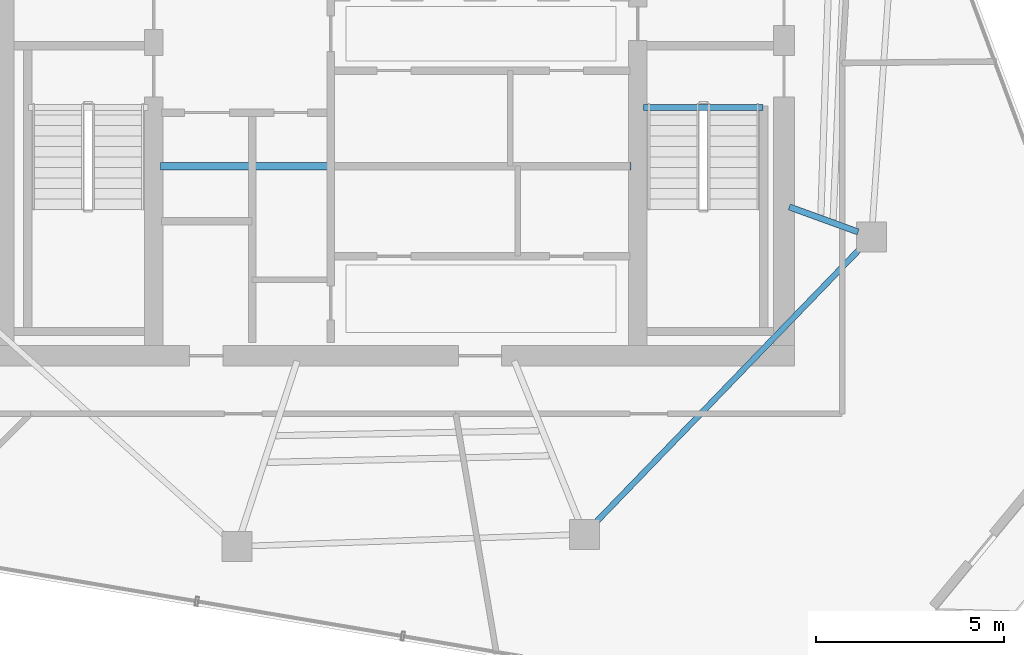
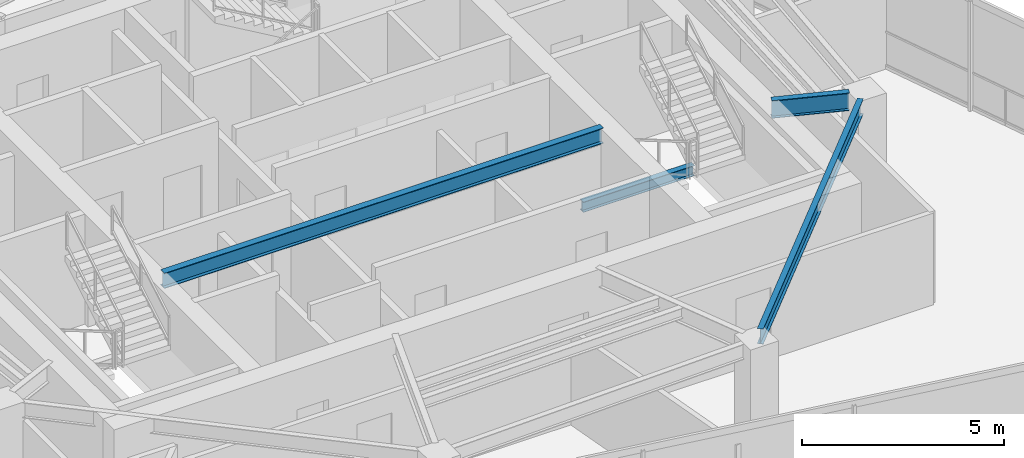
# One storey, part 5 of 19: 4 beams.
"""IFC4 building model written with IfcOpenShell, lengths in metres."""

from ifc_helpers import new_model, si_unit, direction, frame, origin, origin_2d, place, context, subcontext, project, spatial, i_section, extrude, material, material_profile, profile_set, type_object, element, save


model = new_model("IFC4")

# Units and contexts
model_context = context("Model", 3, precision=1e-05, world=origin(), true_north=direction((0.0, 1.0)))
body_context = subcontext(model_context, "Body", "Model", "MODEL_VIEW")
ifc_project = project(units=[si_unit("LENGTHUNIT", "METRE"), si_unit("AREAUNIT", "SQUARE_METRE"), si_unit("VOLUMEUNIT", "CUBIC_METRE"), si_unit("PLANEANGLEUNIT", "RADIAN"), si_unit("MASSUNIT", "GRAM", prefix="KILO")], contexts=[model_context])

# Site, building, storey
site_placement = place(None, origin())
site = spatial("IfcSite", under=ifc_project, at=site_placement, CompositionType="ELEMENT")
building_placement = place(site_placement, origin())
building = spatial("IfcBuilding", under=site, at=building_placement, Name="Qarnah Convention Tower", CompositionType="ELEMENT")
storey_placement = place(building_placement, frame((0.0, 0.0, 257.10009765625)))
storey = spatial("IfcBuildingStorey", under=building, at=storey_placement, Name="L69", CompositionType="ELEMENT", Elevation=257.10009765625)

# Beams
ifc_material = material(Name="Structural steel S355JR", Category="steel")
ifc_material_profile_1 = material_profile(ifc_material, i_section(OverallWidth=0.19189453125, OverallDepth=0.464111328125, WebThickness=0.010986328125, FlangeThickness=0.01806640625, at=origin_2d()), Name="W460X89")
ifc_profile_set_1 = profile_set([ifc_material_profile_1], Name="Structural steel S355JR")
beam_type_1 = type_object("IfcBeamType", Name="BM-CANT-W460A", PredefinedType="BEAM", material=ifc_profile_set_1)
beam_1_placement = place(storey_placement, frame((30.97998046875, 23.64990234375, 3.087890625), z_axis=(1.0, 0.0, 0.0), x_axis=(0.0, 1.0, 0.0)))
element("IfcBeam", 1, at=beam_1_placement, inside=storey, type_object=beam_type_1, Name="L69 beam BM-L69-KC1", PredefinedType="BEAM", context=body_context, shape_type="SweptSolid", body=[
    extrude(i_section(OverallWidth=0.19189453125, OverallDepth=0.464111328125, WebThickness=0.010986328125, FlangeThickness=0.01806640625, at=origin_2d()), origin(), (0.0, 0.0, 1.0), 12.5400390625),
])
ifc_material_profile_2 = material_profile(ifc_material, i_section(OverallWidth=0.166015625, OverallDepth=0.31201171875, WebThickness=0.007080078125, FlangeThickness=0.010986328125, at=origin_2d()), Name="W310X45")
ifc_profile_set_2 = profile_set([ifc_material_profile_2], Name="Structural steel S355JR")
beam_type_2 = type_object("IfcBeamType", Name="BM-JST-W310", PredefinedType="JOIST", material=ifc_profile_set_2)
beam_2_placement = place(storey_placement, frame((43.860107421875, 25.217041015625, -0.156005859375), z_axis=(1.0, 0.0, 0.0), x_axis=(0.0, 1.0, 0.0)))
element("IfcBeam", 2, at=beam_2_placement, inside=storey, type_object=beam_type_2, Name="L69 stair landing trimmer beam BM-L69-ST2-TRM", PredefinedType="BEAM", context=body_context, shape_type="SweptSolid", body=[
    extrude(i_section(OverallWidth=0.166015625, OverallDepth=0.31201171875, WebThickness=0.007080078125, FlangeThickness=0.010986328125, at=origin_2d()), origin(), (0.0, 0.0, 1.0), 3.179931640625),
])
ifc_material_profile_3 = material_profile(ifc_material, i_section(OverallWidth=0.166015625, OverallDepth=0.535888671875, WebThickness=0.010009765625, FlangeThickness=0.01708984375, at=origin_2d()), Name="W530X85")
ifc_profile_set_3 = profile_set([ifc_material_profile_3], Name="Structural steel S355JR")
beam_type_3 = type_object("IfcBeamType", Name="BM-RAD-W530B", PredefinedType="BEAM", material=ifc_profile_set_3)
beam_3_placement = place(storey_placement, frame((47.740966796875, 22.56396484375, 3.052001953125), z_axis=(0.93967655832, -0.342064271363, 0.0), x_axis=(0.342064271363, 0.93967655832, 0.0)))
element("IfcBeam", 3, at=beam_3_placement, inside=storey, type_object=beam_type_3, Name="L69 beam BM-L69-RAD-09", PredefinedType="BEAM", context=body_context, shape_type="SweptSolid", body=[
    extrude(i_section(OverallWidth=0.166015625, OverallDepth=0.535888671875, WebThickness=0.010009765625, FlangeThickness=0.01708984375, at=origin_2d()), origin(), (0.0, 0.0, 1.0), 1.95263671875),
])
ifc_material_profile_4 = material_profile(ifc_material, i_section(OverallWidth=0.154052734375, OverallDepth=0.4599609375, WebThickness=0.009033203125, FlangeThickness=0.014892578125, at=origin_2d()), Name="W460X68")
ifc_profile_set_4 = profile_set([ifc_material_profile_4], Name="Structural steel S355JR")
beam_type_4 = type_object("IfcBeamType", Name="BM-SPN-W460B", PredefinedType="SPANDREL", material=ifc_profile_set_4)
beam_4_placement = place(storey_placement, frame((42.547119140625, 14.117919921875, 3.08984375), z_axis=(0.694687671008, 0.719311503974, 0.0), x_axis=(-0.719311503974, 0.694687671008, 0.0)))
element("IfcBeam", 4, at=beam_4_placement, inside=storey, type_object=beam_type_4, Name="L69 spandrel BM-L69-SPN-08", PredefinedType="SPANDREL", context=body_context, shape_type="SweptSolid", body=[
    extrude(i_section(OverallWidth=0.154052734375, OverallDepth=0.4599609375, WebThickness=0.009033203125, FlangeThickness=0.014892578125, at=origin_2d()), origin(), (0.0, 0.0, 1.0), 10.241943359375),
])

save(model, "model.ifc")
